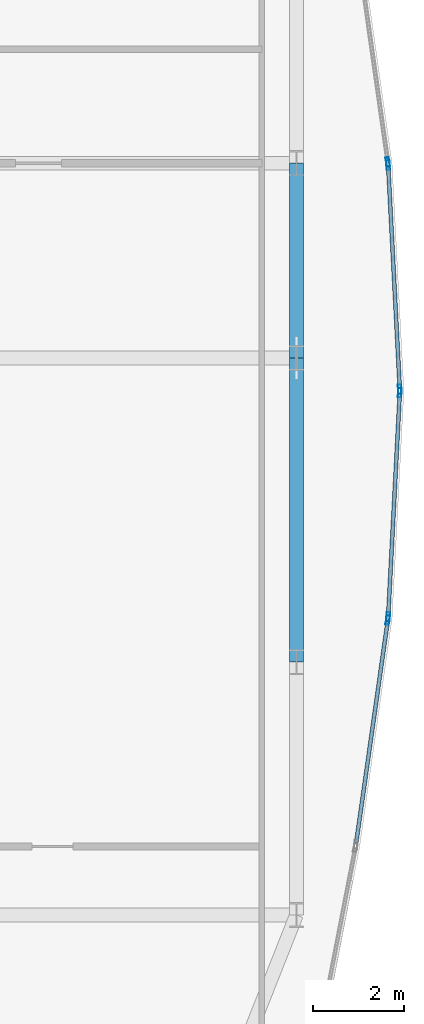
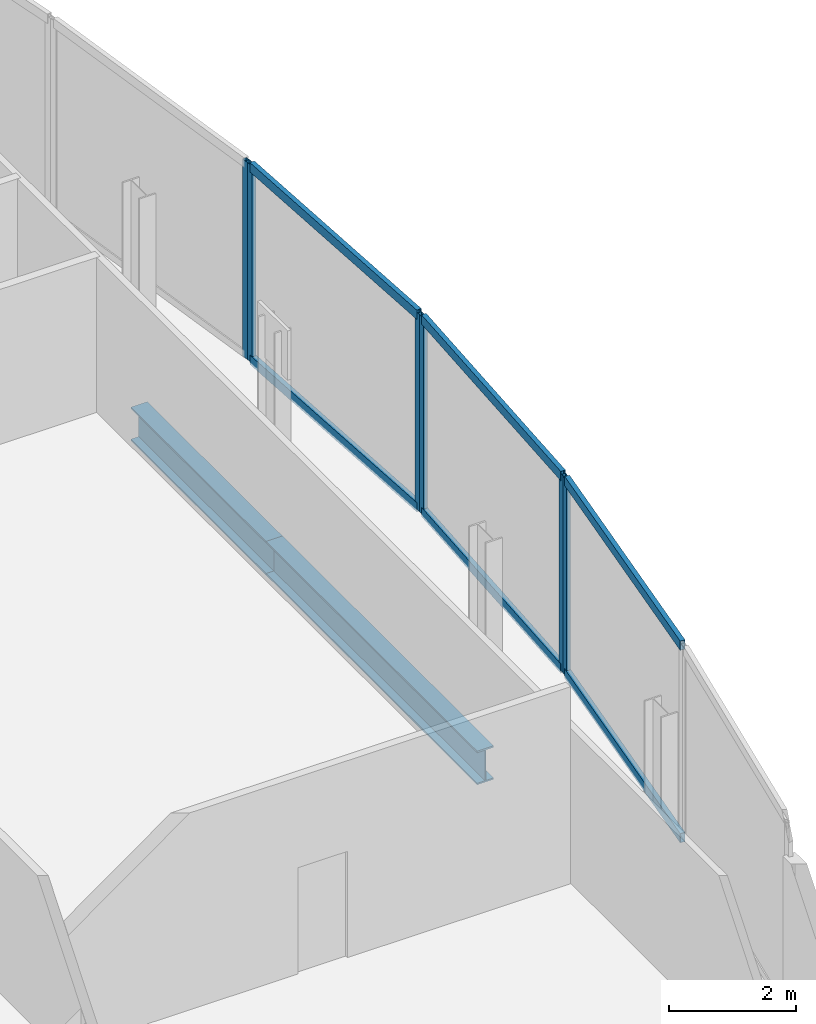
# One storey, part 22 of 34: 12 members, 2 beams, 4 elements without a shape of their own.
"""IFC4 building model written with IfcOpenShell, lengths in metres."""

from ifc_helpers import new_model, si_unit, direction, frame, origin, origin_2d, place, context, subcontext, project, spatial, hollow_rectangle, i_section, extrude, material, material_profile, profile_set, type_object, element, aggregate, save


model = new_model("IFC4")

# Units and contexts
model_context = context("Model", 3, precision=1e-05, world=origin(), true_north=direction((0.0, 1.0)))
body_context = subcontext(model_context, "Body", "Model", "MODEL_VIEW")
ifc_project = project(units=[si_unit("LENGTHUNIT", "METRE"), si_unit("AREAUNIT", "SQUARE_METRE"), si_unit("VOLUMEUNIT", "CUBIC_METRE"), si_unit("PLANEANGLEUNIT", "RADIAN"), si_unit("MASSUNIT", "GRAM", prefix="KILO")], contexts=[model_context])

# Site, building, storey
site_placement = place(None, origin())
site = spatial("IfcSite", under=ifc_project, at=site_placement, CompositionType="ELEMENT")
building_placement = place(site_placement, origin())
building = spatial("IfcBuilding", under=site, at=building_placement, Name="Khoronbel Lancet Exchange", CompositionType="ELEMENT")
storey_placement = place(building_placement, frame((0.0, 0.0, 102.60009765625)))
storey = spatial("IfcBuildingStorey", under=building, at=storey_placement, Name="L24", CompositionType="ELEMENT", Elevation=102.60009765625)

# Beams
ifc_material_1 = material(Name="Steel S355", Category="steel")
ifc_material_profile_1 = material_profile(ifc_material_1, i_section(OverallWidth=0.300048828125, OverallDepth=0.64990234375, WebThickness=0.01611328125, FlangeThickness=0.031005859375, at=origin_2d()), Name="HEB 650")
ifc_profile_set_1 = profile_set([ifc_material_profile_1], Name="Steel S355")
beam_type = type_object("IfcBeamType", Name="BM-BSP1", PredefinedType="SPANDREL", material=ifc_profile_set_1)
beam_1_placement = place(storey_placement, frame((69.6298828125, 24.75, -0.505126953125), z_axis=(0.0, 1.0, 0.0), x_axis=(-1.0, 0.0, 0.0)))
element("IfcBeam", 1, at=beam_1_placement, inside=storey, type_object=beam_type, Name="Level L24 perimeter spandrel beam SP12", PredefinedType="SPANDREL", context=body_context, shape_type="SweptSolid", body=[
    extrude(i_section(OverallWidth=0.300048828125, OverallDepth=0.64990234375, WebThickness=0.01611328125, FlangeThickness=0.031005859375, at=origin_2d()), origin(), (0.0, 0.0, 1.0), 6.675048828125),
])
beam_2_placement = place(storey_placement, frame((69.6298828125, 31.425048828125, -0.505126953125), z_axis=(0.0, 1.0, 0.0), x_axis=(-1.0, 0.0, 0.0)))
element("IfcBeam", 2, at=beam_2_placement, inside=storey, type_object=beam_type, Name="Level L24 perimeter spandrel beam SP13", PredefinedType="SPANDREL", context=body_context, shape_type="SweptSolid", body=[
    extrude(i_section(OverallWidth=0.300048828125, OverallDepth=0.64990234375, WebThickness=0.01611328125, FlangeThickness=0.031005859375, at=origin_2d()), origin(), (0.0, 0.0, 1.0), 4.27490234375),
])

# Curtain wall, member
ifc_material_2 = material(Name="Low-E Solar Control Insulating Glass", Category="glass")
curtain_wall_type = type_object("IfcCurtainWallType", Name="CW-4", PredefinedType="NOTDEFINED", material=ifc_material_2)
curtain_wall_1_placement = place(storey_placement, origin())
curtain_wall_1 = element("IfcCurtainWall", 3, at=curtain_wall_1_placement, inside=storey, type_object=curtain_wall_type, Name="Unitised curtain wall CW-L24-E18", PredefinedType="NOTDEFINED")
ifc_material_3 = material(Name="Bronze-Anodised Aluminium 6063-T6", Category="aluminium")
ifc_material_profile_2 = material_profile(ifc_material_3, hollow_rectangle(XDim=0.074951171875, YDim=0.199951171875, WallThickness=0.0048828125, at=origin_2d()), Name="ALU MULLION 75x200")
ifc_profile_set_2 = profile_set([ifc_material_profile_2], Name="Bronze-Anodised Aluminium 6063-T6")
member_type_1 = type_object("IfcMemberType", Name="MEM-CWM2", PredefinedType="MULLION", material=ifc_profile_set_2)
member_1_placement = place(storey_placement, frame((71.635009765625, 35.728515625, 0.0), z_axis=(0.0, 0.0, 1.0), x_axis=(0.990065733609, 0.1406052742, 0.0)))
member_1 = element("IfcMember", 4, at=member_1_placement, type_object=member_type_1, Name="CW4 mullion 2", PredefinedType="MULLION", context=body_context, shape_type="SweptSolid", body=[
    extrude(hollow_rectangle(XDim=0.074951171875, YDim=0.199951171875, WallThickness=0.0048828125, at=origin_2d()), origin(), (0.0, 0.0, 1.0), 3.7998046875),
])
aggregate(curtain_wall_1, [member_1])

# Curtain wall, members
curtain_wall_2_placement = place(storey_placement, origin())
curtain_wall_2 = element("IfcCurtainWall", 5, at=curtain_wall_2_placement, inside=storey, type_object=curtain_wall_type, Name="Unitised curtain wall CW-L24-E19", PredefinedType="NOTDEFINED")
member_2_placement = place(storey_placement, frame((71.642333984375, 35.65380859375, 0.0), z_axis=(0.0, 0.0, 1.0), x_axis=(0.998651229545, 0.051920340209, 0.0)))
member_2 = element("IfcMember", 6, at=member_2_placement, type_object=member_type_1, Name="CW4 mullion 1", PredefinedType="MULLION", context=body_context, shape_type="SweptSolid", body=[
    extrude(hollow_rectangle(XDim=0.074951171875, YDim=0.199951171875, WallThickness=0.0048828125, at=origin_2d()), origin(), (0.0, 0.0, 1.0), 3.7998046875),
])
member_3_placement = place(storey_placement, frame((71.89794921875, 30.737548828125, 0.0), z_axis=(0.0, 0.0, 1.0), x_axis=(0.998651229545, 0.051920340209, 0.0)))
member_3 = element("IfcMember", 7, at=member_3_placement, type_object=member_type_1, Name="CW4 mullion 2", PredefinedType="MULLION", context=body_context, shape_type="SweptSolid", body=[
    extrude(hollow_rectangle(XDim=0.074951171875, YDim=0.199951171875, WallThickness=0.0048828125, at=origin_2d()), origin(), (0.0, 0.0, 1.0), 3.7998046875),
])

curtain_wall_3_placement = place(storey_placement, origin())
curtain_wall_3 = element("IfcCurtainWall", 8, at=curtain_wall_3_placement, inside=storey, type_object=curtain_wall_type, Name="Unitised curtain wall CW-L24-E20", PredefinedType="NOTDEFINED")
member_4_placement = place(storey_placement, frame((71.89794921875, 30.66259765625, 0.0), z_axis=(0.0, 0.0, 1.0), x_axis=(0.998651229545, -0.051920340209, 0.0)))
member_4 = element("IfcMember", 9, at=member_4_placement, type_object=member_type_1, Name="CW4 mullion 1", PredefinedType="MULLION", context=body_context, shape_type="SweptSolid", body=[
    extrude(hollow_rectangle(XDim=0.074951171875, YDim=0.199951171875, WallThickness=0.0048828125, at=origin_2d()), origin(), (0.0, 0.0, 1.0), 3.7998046875),
])
member_5_placement = place(storey_placement, frame((71.642333984375, 25.74609375, 0.0), z_axis=(0.0, 0.0, 1.0), x_axis=(0.998651229545, -0.051920340209, 0.0)))
member_5 = element("IfcMember", 10, at=member_5_placement, type_object=member_type_1, Name="CW4 mullion 2", PredefinedType="MULLION", context=body_context, shape_type="SweptSolid", body=[
    extrude(hollow_rectangle(XDim=0.074951171875, YDim=0.199951171875, WallThickness=0.0048828125, at=origin_2d()), origin(), (0.0, 0.0, 1.0), 3.7998046875),
])

# Curtain wall, member
curtain_wall_4_placement = place(storey_placement, origin())
curtain_wall_4 = element("IfcCurtainWall", 11, at=curtain_wall_4_placement, inside=storey, type_object=curtain_wall_type, Name="Unitised curtain wall CW-L24-E21", PredefinedType="NOTDEFINED")
member_6_placement = place(storey_placement, frame((71.635009765625, 25.671630859375, 0.0), z_axis=(0.0, 0.0, 1.0), x_axis=(0.990065733609, -0.1406052742, 0.0)))
member_6 = element("IfcMember", 12, at=member_6_placement, type_object=member_type_1, Name="CW4 mullion 1", PredefinedType="MULLION", context=body_context, shape_type="SweptSolid", body=[
    extrude(hollow_rectangle(XDim=0.074951171875, YDim=0.199951171875, WallThickness=0.0048828125, at=origin_2d()), origin(), (0.0, 0.0, 1.0), 3.7998046875),
])

# Member
ifc_material_profile_3 = material_profile(ifc_material_3, hollow_rectangle(XDim=0.0849609375, YDim=0.179931640625, WallThickness=0.0048828125, at=origin_2d()), Name="ALU TRANSOM 85x180")
ifc_profile_set_3 = profile_set([ifc_material_profile_3], Name="Bronze-Anodised Aluminium 6063-T6")
member_type_2 = type_object("IfcMemberType", Name="MEM-CWT1", PredefinedType="USERDEFINED", material=ifc_profile_set_3)
member_7_placement = place(storey_placement, frame((71.644287109375, 35.616455078125, 0.04248046875), z_axis=(0.051919191128, -0.998651289286, 0.0), x_axis=(0.998651289286, 0.051919191128, 0.0)))
member_7 = element("IfcMember", 13, at=member_7_placement, type_object=member_type_2, Name="CW4 transom 1.1", ObjectType="TRANSOM", PredefinedType="USERDEFINED", context=body_context, shape_type="SweptSolid", body=[
    extrude(hollow_rectangle(XDim=0.0849609375, YDim=0.179931640625, WallThickness=0.0048828125, at=origin_2d()), origin(), (0.0, 0.0, 1.0), 4.84814453125),
])

member_8_placement = place(storey_placement, frame((71.644287109375, 35.616455078125, 3.75732421875), z_axis=(0.051919191128, -0.998651289286, 0.0), x_axis=(0.998651289286, 0.051919191128, 0.0)))
member_8 = element("IfcMember", 14, at=member_8_placement, type_object=member_type_2, Name="CW4 transom 1.2", ObjectType="TRANSOM", PredefinedType="USERDEFINED", context=body_context, shape_type="SweptSolid", body=[
    extrude(hollow_rectangle(XDim=0.0849609375, YDim=0.179931640625, WallThickness=0.0048828125, at=origin_2d()), origin(), (0.0, 0.0, 1.0), 4.84814453125),
])

aggregate(curtain_wall_2, [member_2, member_3, member_7, member_8])

member_9_placement = place(storey_placement, frame((71.89599609375, 30.625, 0.04248046875), z_axis=(-0.051921802284, -0.99865115353, 0.0), x_axis=(0.99865115353, -0.051921802284, 0.0)))
member_9 = element("IfcMember", 15, at=member_9_placement, type_object=member_type_2, Name="CW4 transom 1.1", ObjectType="TRANSOM", PredefinedType="USERDEFINED", context=body_context, shape_type="SweptSolid", body=[
    extrude(hollow_rectangle(XDim=0.0849609375, YDim=0.179931640625, WallThickness=0.0048828125, at=origin_2d()), origin(), (0.0, 0.0, 1.0), 4.847900390625),
])

member_10_placement = place(storey_placement, frame((71.89599609375, 30.625, 3.75732421875), z_axis=(-0.051921802284, -0.99865115353, 0.0), x_axis=(0.99865115353, -0.051921802284, 0.0)))
member_10 = element("IfcMember", 16, at=member_10_placement, type_object=member_type_2, Name="CW4 transom 1.2", ObjectType="TRANSOM", PredefinedType="USERDEFINED", context=body_context, shape_type="SweptSolid", body=[
    extrude(hollow_rectangle(XDim=0.0849609375, YDim=0.179931640625, WallThickness=0.0048828125, at=origin_2d()), origin(), (0.0, 0.0, 1.0), 4.847900390625),
])

aggregate(curtain_wall_3, [member_4, member_5, member_9, member_10])

member_11_placement = place(storey_placement, frame((71.629638671875, 25.634521484375, 0.04248046875), z_axis=(-0.140576250882, -0.990069854954, 0.0), x_axis=(0.990069854954, -0.140576250882, 0.0)))
member_11 = element("IfcMember", 17, at=member_11_placement, type_object=member_type_2, Name="CW4 transom 1.1", ObjectType="TRANSOM", PredefinedType="USERDEFINED", context=body_context, shape_type="SweptSolid", body=[
    extrude(hollow_rectangle(XDim=0.0849609375, YDim=0.179931640625, WallThickness=0.0048828125, at=origin_2d()), origin(), (0.0, 0.0, 1.0), 4.89404296875),
])

member_12_placement = place(storey_placement, frame((71.629638671875, 25.634521484375, 3.75732421875), z_axis=(-0.140576250882, -0.990069854954, 0.0), x_axis=(0.990069854954, -0.140576250882, 0.0)))
member_12 = element("IfcMember", 18, at=member_12_placement, type_object=member_type_2, Name="CW4 transom 1.2", ObjectType="TRANSOM", PredefinedType="USERDEFINED", context=body_context, shape_type="SweptSolid", body=[
    extrude(hollow_rectangle(XDim=0.0849609375, YDim=0.179931640625, WallThickness=0.0048828125, at=origin_2d()), origin(), (0.0, 0.0, 1.0), 4.89404296875),
])

aggregate(curtain_wall_4, [member_6, member_11, member_12])

save(model, "model.ifc")
